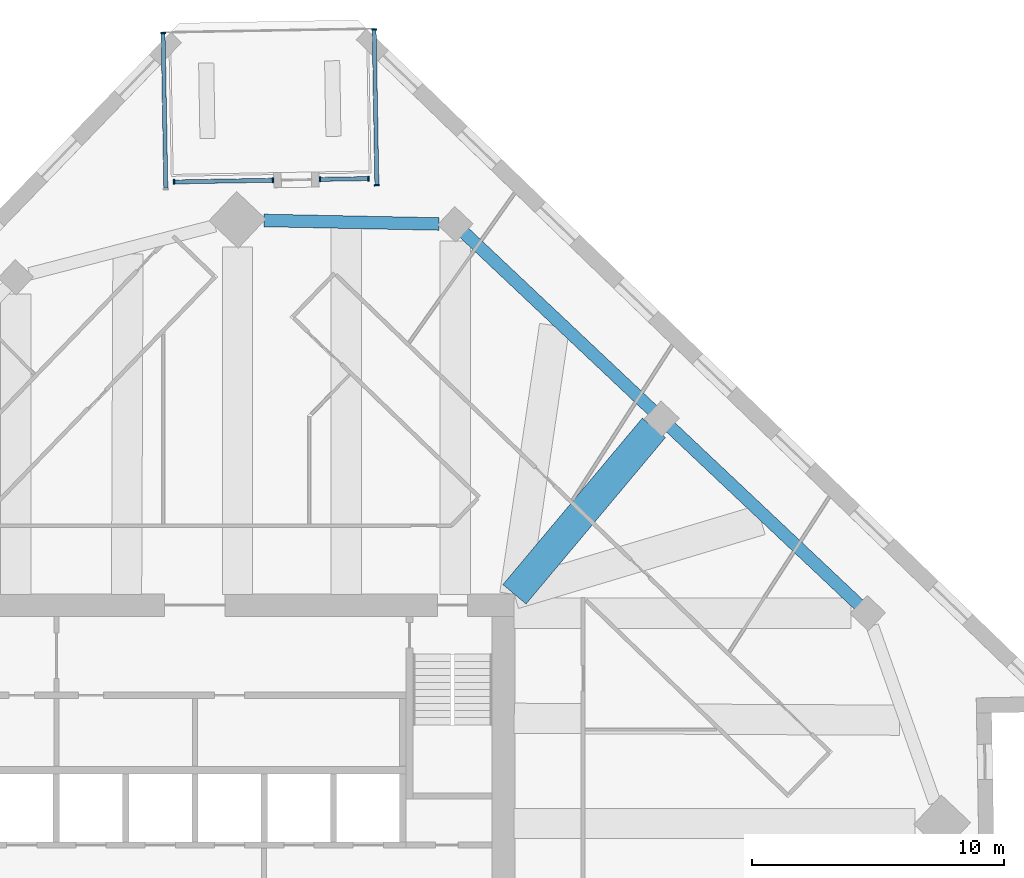
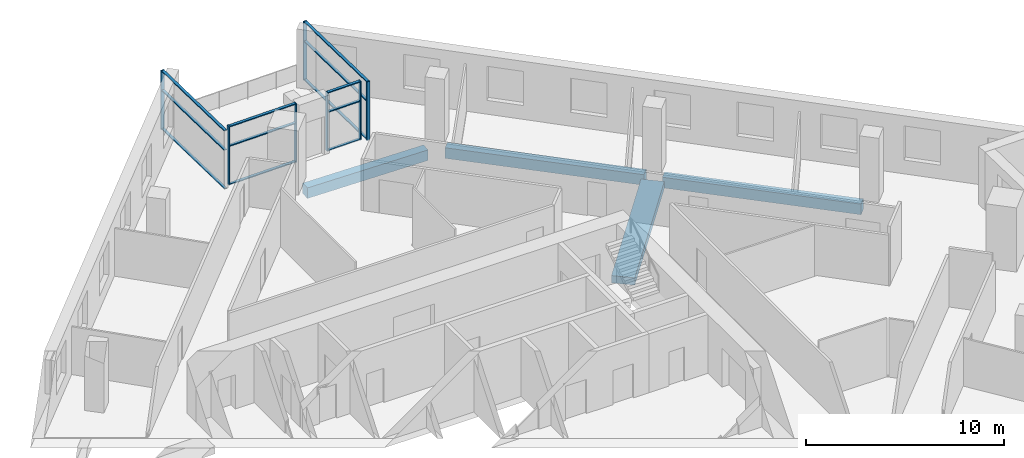
# One storey, part 4 of 13: 19 members, 4 beams, 4 elements without a shape of their own.
"""IFC4 building model written with IfcOpenShell, lengths in metres."""

from ifc_helpers import new_model, si_unit, direction, frame, origin, origin_2d, place, context, subcontext, project, spatial, rectangle, extrude, material, material_profile, profile_set, type_object, element, aggregate, save


model = new_model("IFC4")

# Units and contexts
model_context = context("Model", 3, precision=1e-05, world=origin(), true_north=direction((0.0, 1.0)))
body_context = subcontext(model_context, "Body", "Model", "MODEL_VIEW")
ifc_project = project(units=[si_unit("LENGTHUNIT", "METRE"), si_unit("AREAUNIT", "SQUARE_METRE"), si_unit("VOLUMEUNIT", "CUBIC_METRE"), si_unit("PLANEANGLEUNIT", "RADIAN"), si_unit("MASSUNIT", "GRAM", prefix="KILO")], contexts=[model_context])

# Site, building, storey
site_placement = place(None, origin())
site = spatial("IfcSite", under=ifc_project, at=site_placement, CompositionType="ELEMENT")
building_placement = place(site_placement, origin())
building = spatial("IfcBuilding", under=site, at=building_placement, Name="Dilmun Exchange Tower", CompositionType="ELEMENT")
storey_placement = place(building_placement, frame((0.0, 0.0, 213.300048828125)))
storey = spatial("IfcBuildingStorey", under=building, at=storey_placement, Name="L50", CompositionType="ELEMENT", Elevation=213.300048828125)

# Curtain wall, members
ifc_material_1 = material(Name="Anodised aluminium and clear glass", Category="aluminium")
curtain_wall_type = type_object("IfcCurtainWallType", Name="Garden corner glazing", PredefinedType="NOTDEFINED", material=ifc_material_1)
curtain_wall_1_placement = place(storey_placement, origin())
curtain_wall_1 = element("IfcCurtainWall", 1, at=curtain_wall_1_placement, inside=storey, type_object=curtain_wall_type, Name="Garden corner glazing run GC1.1", PredefinedType="NOTDEFINED")
ifc_material_2 = material(Name="Anodised aluminium", Category="aluminium")
ifc_material_profile_1 = material_profile(ifc_material_2, rectangle(XDim=0.199951171875, YDim=0.06005859375, at=origin_2d()), Name="AL 60x200")
ifc_profile_set_1 = profile_set([ifc_material_profile_1], Name="Anodised aluminium")
member_type_1 = type_object("IfcMemberType", Name="Garden corner glazing mullion 60 x 200", PredefinedType="MULLION", material=ifc_profile_set_1)
member_1_placement = place(storey_placement, frame((7.113037109375, 35.101318359375, 0.0), z_axis=(0.0, 0.0, 1.0), x_axis=(0.999847738755, 0.017449908501, 0.0)))
member_1 = element("IfcMember", 2, at=member_1_placement, type_object=member_type_1, Name="GC1.1 mullion 1", PredefinedType="MULLION", context=body_context, shape_type="SweptSolid", body=[
    extrude(rectangle(XDim=0.199951171875, YDim=0.06005859375, at=origin_2d()), origin(), (0.0, 0.0, 1.0), 3.619873046875),
])
member_2_placement = place(storey_placement, frame((7.22119140625, 28.915771484375, 0.0), z_axis=(0.0, 0.0, 1.0), x_axis=(0.999847738755, 0.017449908501, 0.0)))
member_2 = element("IfcMember", 3, at=member_2_placement, type_object=member_type_1, Name="GC1.1 mullion 2", PredefinedType="MULLION", context=body_context, shape_type="SweptSolid", body=[
    extrude(rectangle(XDim=0.199951171875, YDim=0.06005859375, at=origin_2d()), origin(), (0.0, 0.0, 1.0), 3.619873046875),
])

curtain_wall_2_placement = place(storey_placement, origin())
curtain_wall_2 = element("IfcCurtainWall", 4, at=curtain_wall_2_placement, inside=storey, type_object=curtain_wall_type, Name="Garden corner glazing run GC2.1", PredefinedType="NOTDEFINED")
member_3_placement = place(storey_placement, frame((6.886474609375, 29.179931640625, 0.0), z_axis=(0.0, 0.0, 1.0), x_axis=(0.017445052024, -0.999847823501, 0.0)))
member_3 = element("IfcMember", 5, at=member_3_placement, type_object=member_type_1, Name="GC2.1 mullion 1", PredefinedType="MULLION", context=body_context, shape_type="SweptSolid", body=[
    extrude(rectangle(XDim=0.199951171875, YDim=0.06005859375, at=origin_2d()), origin(), (0.0, 0.0, 1.0), 3.619873046875),
])
member_4_placement = place(storey_placement, frame((4.95751953125, 29.146240234375, 0.0), z_axis=(0.0, 0.0, 1.0), x_axis=(0.017445052024, -0.999847823501, 0.0)))
member_4 = element("IfcMember", 6, at=member_4_placement, type_object=member_type_1, Name="GC2.1 mullion 2", PredefinedType="MULLION", context=body_context, shape_type="SweptSolid", body=[
    extrude(rectangle(XDim=0.199951171875, YDim=0.06005859375, at=origin_2d()), origin(), (0.0, 0.0, 1.0), 3.619873046875),
])

curtain_wall_3_placement = place(storey_placement, origin())
curtain_wall_3 = element("IfcCurtainWall", 7, at=curtain_wall_3_placement, inside=storey, type_object=curtain_wall_type, Name="Garden corner glazing run GC2.3", PredefinedType="NOTDEFINED")
member_5_placement = place(storey_placement, frame((3.097900390625, 29.11376953125, 0.0), z_axis=(0.0, 0.0, 1.0), x_axis=(0.017472573608, -0.999847342934, 0.0)))
member_5 = element("IfcMember", 8, at=member_5_placement, type_object=member_type_1, Name="GC2.3 mullion 1", PredefinedType="MULLION", context=body_context, shape_type="SweptSolid", body=[
    extrude(rectangle(XDim=0.199951171875, YDim=0.06005859375, at=origin_2d()), origin(), (0.0, 0.0, 1.0), 3.619873046875),
])
member_6_placement = place(storey_placement, frame((-0.83056640625, 29.045166015625, 0.0), z_axis=(0.0, 0.0, 1.0), x_axis=(0.017472573608, -0.999847342934, 0.0)))
member_6 = element("IfcMember", 9, at=member_6_placement, type_object=member_type_1, Name="GC2.3 mullion 2", PredefinedType="MULLION", context=body_context, shape_type="SweptSolid", body=[
    extrude(rectangle(XDim=0.199951171875, YDim=0.06005859375, at=origin_2d()), origin(), (0.0, 0.0, 1.0), 3.619873046875),
])

# Curtain wall, member
curtain_wall_4_placement = place(storey_placement, origin())
curtain_wall_4 = element("IfcCurtainWall", 10, at=curtain_wall_4_placement, inside=storey, type_object=curtain_wall_type, Name="Garden corner glazing run GC3.1", PredefinedType="NOTDEFINED")
member_7_placement = place(storey_placement, frame((-1.263671875, 34.955078125, 0.0), z_axis=(0.0, 0.0, 1.0), x_axis=(-0.99984773388, -0.017450187816, 0.0)))
member_7 = element("IfcMember", 11, at=member_7_placement, type_object=member_type_1, Name="GC3.1 mullion 2", PredefinedType="MULLION", context=body_context, shape_type="SweptSolid", body=[
    extrude(rectangle(XDim=0.199951171875, YDim=0.06005859375, at=origin_2d()), origin(), (0.0, 0.0, 1.0), 3.619873046875),
])

# Member
ifc_material_profile_2 = material_profile(ifc_material_2, rectangle(XDim=0.159912109375, YDim=0.06005859375, at=origin_2d()), Name="AL 60x160")
ifc_profile_set_2 = profile_set([ifc_material_profile_2], Name="Anodised aluminium")
member_type_2 = type_object("IfcMemberType", Name="Garden corner glazing transom 60 x 160", PredefinedType="USERDEFINED", material=ifc_profile_set_2)
member_8_placement = place(storey_placement, frame((7.113525390625, 35.0712890625, 0.030029296875), z_axis=(0.017454494799, -0.999847658702, 0.0), x_axis=(0.999847658702, 0.017454494799, 0.0)))
member_8 = element("IfcMember", 12, at=member_8_placement, type_object=member_type_2, Name="GC1.1 transom 1.1", ObjectType="TRANSOM", PredefinedType="USERDEFINED", context=body_context, shape_type="SweptSolid", body=[
    extrude(rectangle(XDim=0.159912109375, YDim=0.06005859375, at=origin_2d()), origin(), (0.0, 0.0, 1.0), 6.12646484375),
])

member_9_placement = place(storey_placement, frame((7.113525390625, 35.0712890625, 2.39990234375), z_axis=(0.017454494799, -0.999847658702, 0.0), x_axis=(0.999847658702, 0.017454494799, 0.0)))
member_9 = element("IfcMember", 13, at=member_9_placement, type_object=member_type_2, Name="GC1.1 transom 1.2", ObjectType="TRANSOM", PredefinedType="USERDEFINED", context=body_context, shape_type="SweptSolid", body=[
    extrude(rectangle(XDim=0.159912109375, YDim=0.06005859375, at=origin_2d()), origin(), (0.0, 0.0, 1.0), 6.12646484375),
])

member_10_placement = place(storey_placement, frame((7.113525390625, 35.0712890625, 3.58984375), z_axis=(0.017454494799, -0.999847658702, 0.0), x_axis=(0.999847658702, 0.017454494799, 0.0)))
member_10 = element("IfcMember", 14, at=member_10_placement, type_object=member_type_2, Name="GC1.1 transom 1.3", ObjectType="TRANSOM", PredefinedType="USERDEFINED", context=body_context, shape_type="SweptSolid", body=[
    extrude(rectangle(XDim=0.159912109375, YDim=0.06005859375, at=origin_2d()), origin(), (0.0, 0.0, 1.0), 6.12646484375),
])

aggregate(curtain_wall_1, [member_1, member_2, member_8, member_9, member_10])

member_11_placement = place(storey_placement, frame((6.8564453125, 29.179443359375, 0.030029296875), z_axis=(-0.999846824461, -0.017502217437, 0.0), x_axis=(0.017502217437, -0.999846824461, 0.0)))
member_11 = element("IfcMember", 15, at=member_11_placement, type_object=member_type_2, Name="GC2.1 transom 1.1", ObjectType="TRANSOM", PredefinedType="USERDEFINED", context=body_context, shape_type="SweptSolid", body=[
    extrude(rectangle(XDim=0.159912109375, YDim=0.06005859375, at=origin_2d()), origin(), (0.0, 0.0, 1.0), 1.869140625),
])

member_12_placement = place(storey_placement, frame((6.8564453125, 29.179443359375, 2.39990234375), z_axis=(-0.999846824461, -0.017502217437, 0.0), x_axis=(0.017502217437, -0.999846824461, 0.0)))
member_12 = element("IfcMember", 16, at=member_12_placement, type_object=member_type_2, Name="GC2.1 transom 1.2", ObjectType="TRANSOM", PredefinedType="USERDEFINED", context=body_context, shape_type="SweptSolid", body=[
    extrude(rectangle(XDim=0.159912109375, YDim=0.06005859375, at=origin_2d()), origin(), (0.0, 0.0, 1.0), 1.869140625),
])

member_13_placement = place(storey_placement, frame((6.8564453125, 29.179443359375, 3.58984375), z_axis=(-0.999846824461, -0.017502217437, 0.0), x_axis=(0.017502217437, -0.999846824461, 0.0)))
member_13 = element("IfcMember", 17, at=member_13_placement, type_object=member_type_2, Name="GC2.1 transom 1.3", ObjectType="TRANSOM", PredefinedType="USERDEFINED", context=body_context, shape_type="SweptSolid", body=[
    extrude(rectangle(XDim=0.159912109375, YDim=0.06005859375, at=origin_2d()), origin(), (0.0, 0.0, 1.0), 1.869140625),
])

aggregate(curtain_wall_2, [member_3, member_4, member_11, member_12, member_13])

member_14_placement = place(storey_placement, frame((3.06787109375, 29.11328125, 0.030029296875), z_axis=(-0.999847227381, -0.017479184726, 0.0), x_axis=(0.017479184726, -0.999847227381, 0.0)))
member_14 = element("IfcMember", 18, at=member_14_placement, type_object=member_type_2, Name="GC2.3 transom 1.1", ObjectType="TRANSOM", PredefinedType="USERDEFINED", context=body_context, shape_type="SweptSolid", body=[
    extrude(rectangle(XDim=0.159912109375, YDim=0.06005859375, at=origin_2d()), origin(), (0.0, 0.0, 1.0), 3.868896484375),
])

member_15_placement = place(storey_placement, frame((3.06787109375, 29.11328125, 2.39990234375), z_axis=(-0.999847227381, -0.017479184726, 0.0), x_axis=(0.017479184726, -0.999847227381, 0.0)))
member_15 = element("IfcMember", 19, at=member_15_placement, type_object=member_type_2, Name="GC2.3 transom 1.2", ObjectType="TRANSOM", PredefinedType="USERDEFINED", context=body_context, shape_type="SweptSolid", body=[
    extrude(rectangle(XDim=0.159912109375, YDim=0.06005859375, at=origin_2d()), origin(), (0.0, 0.0, 1.0), 3.868896484375),
])

member_16_placement = place(storey_placement, frame((3.06787109375, 29.11328125, 3.58984375), z_axis=(-0.999847227381, -0.017479184726, 0.0), x_axis=(0.017479184726, -0.999847227381, 0.0)))
member_16 = element("IfcMember", 20, at=member_16_placement, type_object=member_type_2, Name="GC2.3 transom 1.3", ObjectType="TRANSOM", PredefinedType="USERDEFINED", context=body_context, shape_type="SweptSolid", body=[
    extrude(rectangle(XDim=0.159912109375, YDim=0.06005859375, at=origin_2d()), origin(), (0.0, 0.0, 1.0), 3.868896484375),
])

aggregate(curtain_wall_3, [member_5, member_6, member_14, member_15, member_16])

member_17_placement = place(storey_placement, frame((-1.15625, 28.799560546875, 0.030029296875), z_axis=(-0.017454494799, 0.999847658702, 0.0), x_axis=(-0.999847658702, -0.017454494799, 0.0)))
member_17 = element("IfcMember", 21, at=member_17_placement, type_object=member_type_2, Name="GC3.1 transom 1.1", ObjectType="TRANSOM", PredefinedType="USERDEFINED", context=body_context, shape_type="SweptSolid", body=[
    extrude(rectangle(XDim=0.159912109375, YDim=0.06005859375, at=origin_2d()), origin(), (0.0, 0.0, 1.0), 6.12646484375),
])

member_18_placement = place(storey_placement, frame((-1.15625, 28.799560546875, 2.39990234375), z_axis=(-0.017454494799, 0.999847658702, 0.0), x_axis=(-0.999847658702, -0.017454494799, 0.0)))
member_18 = element("IfcMember", 22, at=member_18_placement, type_object=member_type_2, Name="GC3.1 transom 1.2", ObjectType="TRANSOM", PredefinedType="USERDEFINED", context=body_context, shape_type="SweptSolid", body=[
    extrude(rectangle(XDim=0.159912109375, YDim=0.06005859375, at=origin_2d()), origin(), (0.0, 0.0, 1.0), 6.12646484375),
])

member_19_placement = place(storey_placement, frame((-1.15625, 28.799560546875, 3.58984375), z_axis=(-0.017454494799, 0.999847658702, 0.0), x_axis=(-0.999847658702, -0.017454494799, 0.0)))
member_19 = element("IfcMember", 23, at=member_19_placement, type_object=member_type_2, Name="GC3.1 transom 1.3", ObjectType="TRANSOM", PredefinedType="USERDEFINED", context=body_context, shape_type="SweptSolid", body=[
    extrude(rectangle(XDim=0.159912109375, YDim=0.06005859375, at=origin_2d()), origin(), (0.0, 0.0, 1.0), 6.12646484375),
])

aggregate(curtain_wall_4, [member_7, member_17, member_18, member_19])

# Beams
ifc_material_3 = material(Name="Concrete C40/50", Category="concrete")
ifc_material_profile_3 = material_profile(ifc_material_3, rectangle(XDim=1.199951171875, YDim=0.449951171875, at=origin_2d()), Name="1200 x 450")
ifc_profile_set_3 = profile_set([ifc_material_profile_3], Name="Concrete C40/50")
beam_type_1 = type_object("IfcBeamType", Name="RC band beam 1200 x 450 C40/50", PredefinedType="BEAM", material=ifc_profile_set_3)
beam_1_placement = place(storey_placement, frame((18.2158203125, 19.28369140625, -0.705078125), z_axis=(-0.642200063897, -0.766537068856, 0.0), x_axis=(0.766537068856, -0.642200063897, 0.0)))
element("IfcBeam", 24, at=beam_1_placement, inside=storey, type_object=beam_type_1, Name="Band beam 15", PredefinedType="BEAM", context=body_context, shape_type="SweptSolid", body=[
    extrude(rectangle(XDim=1.199951171875, YDim=0.449951171875, at=origin_2d()), origin(), (0.0, 0.0, 1.0), 8.615966796875),
])
ifc_material_profile_4 = material_profile(ifc_material_3, rectangle(XDim=0.5, YDim=0.64990234375, at=origin_2d()), Name="500 x 650")
ifc_profile_set_4 = profile_set([ifc_material_profile_4], Name="Concrete C40/50")
beam_type_2 = type_object("IfcBeamType", Name="RC ring beam 500 x 650 C40/50", PredefinedType="SPANDREL", material=ifc_profile_set_4)
beam_2_placement = place(storey_placement, frame((26.36181640625, 12.25537109375, -0.705078125), z_axis=(-0.727685706374, 0.68591071776, 0.0), x_axis=(-0.68591071776, -0.727685706374, 0.0)))
element("IfcBeam", 25, at=beam_2_placement, inside=storey, type_object=beam_type_2, Name="Ring beam 14", PredefinedType="SPANDREL", context=body_context, shape_type="SweptSolid", body=[
    extrude(rectangle(XDim=0.5, YDim=0.64990234375, at=origin_2d()), origin(), (0.0, 0.0, 1.0), 10.30322265625),
])
beam_3_placement = place(storey_placement, frame((18.17578125, 19.971435546875, -0.705078125), z_axis=(-0.727682990869, 0.685913598641, 0.0), x_axis=(-0.685913598641, -0.727682990869, 0.0)))
element("IfcBeam", 26, at=beam_3_placement, inside=storey, type_object=beam_type_2, Name="Ring beam 15", PredefinedType="SPANDREL", context=body_context, shape_type="SweptSolid", body=[
    extrude(rectangle(XDim=0.5, YDim=0.64990234375, at=origin_2d()), origin(), (0.0, 0.0, 1.0), 10.3046875),
])
beam_4_placement = place(storey_placement, frame((9.685791015625, 27.376953125, -0.705078125), z_axis=(-0.999797424966, 0.020127320539, 0.0), x_axis=(-0.020127320539, -0.999797424966, 0.0)))
element("IfcBeam", 27, at=beam_4_placement, inside=storey, type_object=beam_type_2, Name="Ring beam 16", PredefinedType="SPANDREL", context=body_context, shape_type="SweptSolid", body=[
    extrude(rectangle(XDim=0.5, YDim=0.64990234375, at=origin_2d()), origin(), (0.0, 0.0, 1.0), 6.950439453125),
])

save(model, "model.ifc")
